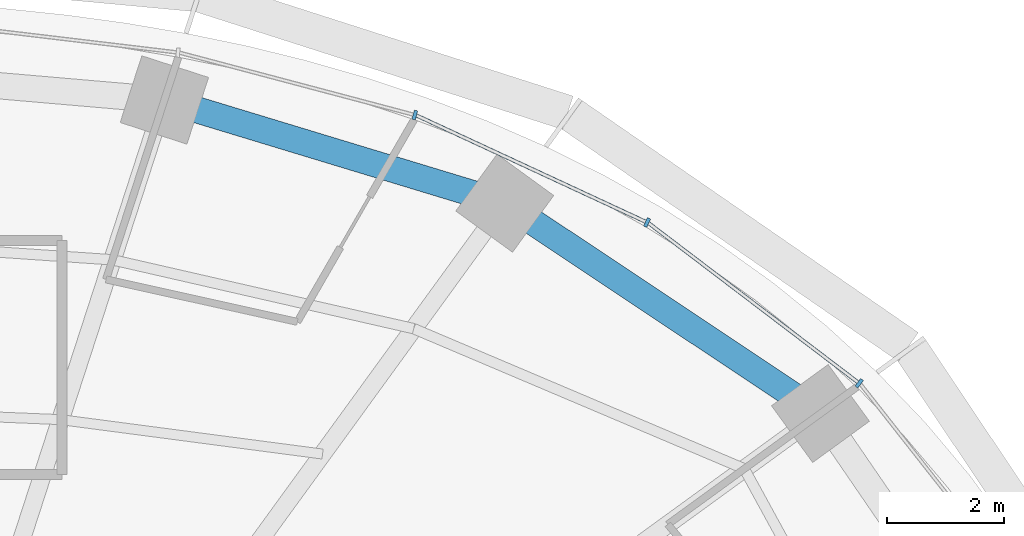
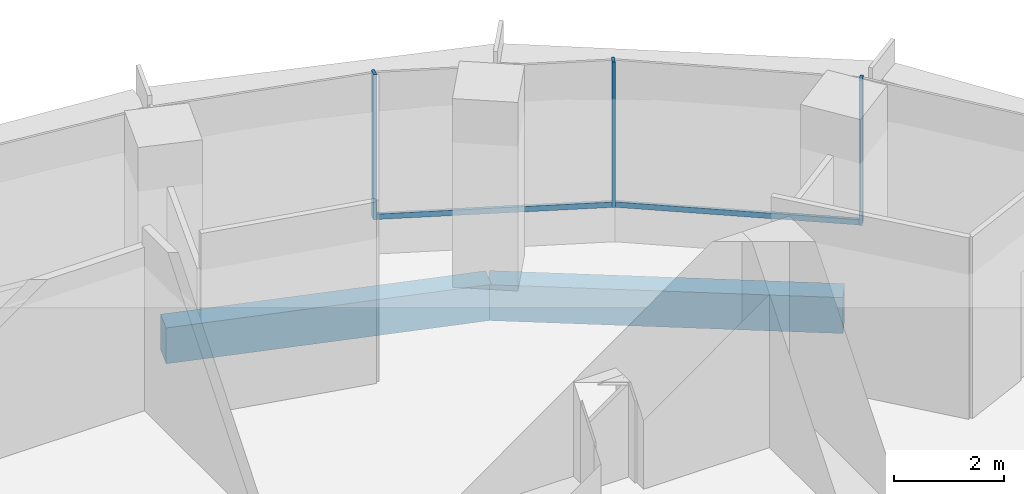
# One storey, part 7 of 13: 5 members, 2 beams, 2 elements without a shape of their own.
"""IFC4 building model written with IfcOpenShell, lengths in metres."""

import ifcopenshell
import ifcopenshell.guid

model = None  # the IFC model being written
_history = None  # IfcOwnerHistory: only IFC2X3 demands one
_inside = {}  # id of a spatial element -> (the spatial element, [elements in it])
_under = {}  # id of a project, library or spatial element -> (it, [spatial elements below it])
_declared = {}  # id of a project -> (the project, [libraries it declares])
_typed = {}  # id of a type object -> (the type object, [elements of that type])
_made_of = {}  # id of a material, layer set ... -> (it, [elements and type objects made of it])


def new_model(schema):
    """Start an empty IFC model of exactly this schema.

    Asked for "IFC4X3", IfcOpenShell would pick the latest addendum, in which some entities
    have other attributes; the version numbers below select the first issue.
    IFC2X3 requires an IfcOwnerHistory on every rooted entity: one is made here for all.
    """
    global model, _history
    if schema == "IFC4X3":
        model = ifcopenshell.file(schema_version=(4, 3, 0, 0))
    else:
        model = ifcopenshell.file(schema=schema)
    _inside.clear()
    _under.clear()
    _declared.clear()
    _typed.clear()
    _made_of.clear()
    _history = None
    if model.schema == "IFC2X3":
        org = make("IfcOrganization", Name="unknown")
        user = make(
            "IfcPersonAndOrganization",
            ThePerson=make("IfcPerson", FamilyName="unknown"),
            TheOrganization=org,
        )
        app = make(
            "IfcApplication",
            ApplicationDeveloper=org,
            Version="unknown",
            ApplicationFullName="unknown",
            ApplicationIdentifier="unknown",
        )
        _history = make(
            "IfcOwnerHistory",
            OwningUser=user,
            OwningApplication=app,
            ChangeAction="ADDED",
            CreationDate=0,
        )
    return model


def make(cls, **values):
    """One entity of the class cls with the attributes given. An attribute that is None is left unset."""
    return model.create_entity(
        cls, **{name: value for name, value in values.items() if value is not None}
    )


def rooted(cls, **values):
    """An entity with a GlobalId (a new one), such as an element, a storey or a relation."""
    return make(cls, GlobalId=ifcopenshell.guid.new(), OwnerHistory=_history, **values)


def si_unit(unit_type, name, prefix=None):
    """IfcSIUnit, for example si_unit("LENGTHUNIT", "METRE", prefix="MILLI")."""
    return make("IfcSIUnit", UnitType=unit_type, Prefix=prefix, Name=name)


def assignment(units):
    """IfcUnitAssignment: the units of a project."""
    return None if units is None else make("IfcUnitAssignment", Units=units)


def point(xyz):
    """IfcCartesianPoint."""
    return None if xyz is None else make("IfcCartesianPoint", Coordinates=xyz)


def direction(xyz):
    """IfcDirection."""
    return None if xyz is None else make("IfcDirection", DirectionRatios=xyz)


def frame(location, z_axis=None, x_axis=None):
    """IfcAxis2Placement3D, a coordinate frame: its origin and axes. An axis left out is left unset."""
    return make(
        "IfcAxis2Placement3D",
        Location=point(location),
        Axis=direction(z_axis),
        RefDirection=direction(x_axis),
    )


def frame_2d(location, x_axis=None):
    """IfcAxis2Placement2D, a coordinate frame in the plane: its origin and x axis."""
    return make(
        "IfcAxis2Placement2D", Location=point(location), RefDirection=direction(x_axis)
    )


def origin():
    """The frame at (0, 0, 0) with its axes left unset."""
    return frame((0.0, 0.0, 0.0))


def origin_2d():
    """The frame at (0, 0) in the plane with its x axis left unset."""
    return frame_2d((0.0, 0.0))


def place(relative_to, where):
    """IfcLocalPlacement: puts the frame where relative to a parent placement (None: the world)."""
    return make(
        "IfcLocalPlacement", PlacementRelTo=relative_to, RelativePlacement=where
    )


def context(
    kind, dimensions, precision=None, world=None, true_north=None, identifier=None
):
    """IfcGeometricRepresentationContext, for example the 3D "Model" context."""
    return make(
        "IfcGeometricRepresentationContext",
        ContextIdentifier=identifier,
        ContextType=kind,
        CoordinateSpaceDimension=dimensions,
        Precision=precision,
        WorldCoordinateSystem=world,
        TrueNorth=true_north,
    )


def subcontext(parent, identifier, kind, view, scale=None):
    """IfcGeometricRepresentationSubContext, for example "Body" below "Model"."""
    return make(
        "IfcGeometricRepresentationSubContext",
        ContextIdentifier=identifier,
        ContextType=kind,
        ParentContext=parent,
        TargetScale=scale,
        TargetView=view,
    )


def project(units=None, contexts=None):
    """IfcProject with its units and contexts."""
    return rooted(
        "IfcProject",
        Name="project",
        RepresentationContexts=contexts,
        UnitsInContext=assignment(units),
    )


def spatial(cls, under=None, at=None, **own):
    """A site, building, storey or space (cls), placed at a placement, below another one or the project."""
    s = rooted(cls, ObjectPlacement=at, **own)
    if under is not None:
        _under.setdefault(under.id(), (under, []))[1].append(s)
    return s


def profile(cls, at=None, kind="AREA", **sizes):
    """A parametric profile (cls). Its sizes go by their IFC names, for example OverallWidth=200.0."""
    return make(cls, ProfileType=kind, Position=at, **sizes)


def rectangle(**sizes):
    """IfcRectangleProfileDef."""
    return profile("IfcRectangleProfileDef", **sizes)


def extrude(swept, where, along, depth):
    """IfcExtrudedAreaSolid: the profile swept, set in the frame where, extruded along a direction by depth."""
    return make(
        "IfcExtrudedAreaSolid",
        SweptArea=swept,
        Position=where,
        ExtrudedDirection=direction(along),
        Depth=depth,
    )


def shape(context_of_items, identifier, shape_type, items):
    """IfcShapeRepresentation: the items that make up one representation, for example the "Body"."""
    return make(
        "IfcShapeRepresentation",
        ContextOfItems=context_of_items,
        RepresentationIdentifier=identifier,
        RepresentationType=shape_type,
        Items=items,
    )


def material(Name=None, Category=None):
    """IfcMaterial."""
    return make("IfcMaterial", Name=Name, Category=Category)


def material_profile(
    of_material, cross_section, Name=None, Category=None, Priority=None
):
    """IfcMaterialProfile: a cross section and its material."""
    return make(
        "IfcMaterialProfile",
        Name=Name,
        Material=of_material,
        Profile=cross_section,
        Priority=Priority,
        Category=Category,
    )


def profile_set(profiles, Name=None, composite=None):
    """IfcMaterialProfileSet."""
    return make(
        "IfcMaterialProfileSet",
        Name=Name,
        MaterialProfiles=profiles,
        CompositeProfile=composite,
    )


def made_of(thing, what):
    """Note that an element or type object is made of a material, layer set ...; save() writes the relation."""
    if what is not None:
        _made_of.setdefault(what.id(), (what, []))[1].append(thing)
    return thing


def type_object(cls, material=None, **own):
    """A type object (cls), such as IfcWallType, which elements share."""
    return made_of(rooted(cls, **own), material)


def element(
    cls,
    number,
    at=None,
    inside=None,
    cuts=None,
    type_object=None,
    material=None,
    context=None,
    identifier="Body",
    shape_type=None,
    held_by="IfcProductDefinitionShape",
    body=None,
    shapes=None,
    **own,
):
    """One element of the class cls, such as IfcWall. Its Tag is "e" and its number.

    at: its placement. inside: the storey or other place that contains it. cuts: it is an
    opening in that element (IfcRelVoidsElement). A single representation is given by context,
    identifier, shape_type and body (its items); several are given by shapes. held_by: the class
    of the entity that holds the representations. save() writes the other relations.
    """
    e = rooted(cls, Tag="e%d" % number, ObjectPlacement=at, **own)
    if body is not None:
        shapes = [shape(context, identifier, shape_type, body)]
    if shapes is not None:
        e.Representation = make(held_by, Representations=shapes)
    if inside is not None:
        _inside.setdefault(inside.id(), (inside, []))[1].append(e)
    if cuts is not None:
        rooted(
            "IfcRelVoidsElement", RelatingBuildingElement=cuts, RelatedOpeningElement=e
        )
    if type_object is not None:
        _typed.setdefault(type_object.id(), (type_object, []))[1].append(e)
    return made_of(e, material)


def aggregate(whole, parts):
    """IfcRelAggregates: a whole, such as a stair, and the parts it consists of."""
    return rooted("IfcRelAggregates", RelatingObject=whole, RelatedObjects=parts)


def save(model, path):
    """Write the relations noted so far, then the file.

    IfcRelAggregates (storeys below a building ...), IfcRelContainedInSpatialStructure (elements
    in a storey), IfcRelDefinesByType, IfcRelAssociatesMaterial and IfcRelDeclares: one each for
    every whole, place, type object, material and project.
    """
    for whole, parts in _under.values():
        aggregate(whole, parts)
    for where, things in _inside.values():
        rooted(
            "IfcRelContainedInSpatialStructure",
            RelatedElements=things,
            RelatingStructure=where,
        )
    for kind, things in _typed.values():
        rooted("IfcRelDefinesByType", RelatedObjects=things, RelatingType=kind)
    for what, things in _made_of.values():
        rooted("IfcRelAssociatesMaterial", RelatedObjects=things, RelatingMaterial=what)
    for by, libraries in _declared.values():
        rooted("IfcRelDeclares", RelatingContext=by, RelatedDefinitions=libraries)
    model.write(path)


model = new_model("IFC4")

# Units and contexts
model_context = context("Model", 3, precision=1e-05, world=origin(), true_north=direction((0.0, 1.0)))
body_context = subcontext(model_context, "Body", "Model", "MODEL_VIEW")
ifc_project = project(units=[si_unit("LENGTHUNIT", "METRE"), si_unit("AREAUNIT", "SQUARE_METRE"), si_unit("VOLUMEUNIT", "CUBIC_METRE"), si_unit("PLANEANGLEUNIT", "RADIAN"), si_unit("MASSUNIT", "GRAM", prefix="KILO")], contexts=[model_context])

# Site, building, storey
site_placement = place(None, origin())
site = spatial("IfcSite", under=ifc_project, at=site_placement, CompositionType="ELEMENT")
building_placement = place(site_placement, origin())
building = spatial("IfcBuilding", under=site, at=building_placement, Name="Marramba Exchange Tower", CompositionType="ELEMENT")
storey_placement = place(building_placement, frame((0.0, 0.0, 268.60009765625)))
storey = spatial("IfcBuildingStorey", under=building, at=storey_placement, Name="L65", CompositionType="ELEMENT", Elevation=268.60009765625)

# Curtain wall, members
ifc_material_1 = material(Name="Aluminium framing, bronze anodised", Category="aluminium")
curtain_wall_type = type_object("IfcCurtainWallType", Name="Executive floor ribbon curtain wall", PredefinedType="USERDEFINED", material=ifc_material_1)
curtain_wall_1_placement = place(storey_placement, origin())
curtain_wall_1 = element("IfcCurtainWall", 1, at=curtain_wall_1_placement, inside=storey, type_object=curtain_wall_type, Name="Curtain wall CW5 L65 F01-F05", ObjectType="RIBBON CURTAIN WALL", PredefinedType="USERDEFINED")
ifc_material_2 = material(Name="Aluminium mullion, bronze anodised", Category="aluminium")
ifc_material_profile_1 = material_profile(ifc_material_2, rectangle(XDim=0.159912109375, YDim=0.06005859375, at=origin_2d()), Name="CW5 mullion 60x160")
ifc_profile_set_1 = profile_set([ifc_material_profile_1], Name="Aluminium mullion, bronze anodised")
member_type_1 = type_object("IfcMemberType", Name="Executive floor ribbon curtain wall mullion", PredefinedType="MULLION", material=ifc_profile_set_1)
member_1_placement = place(storey_placement, frame((17.6494140625, 12.858642578125, 0.7998046875), z_axis=(0.0, 0.0, 1.0), x_axis=(-0.605219156516, -0.796058900199, 0.0)))
member_1 = element("IfcMember", 2, at=member_1_placement, type_object=member_type_1, Name="CW5 mullion 1", PredefinedType="MULLION", context=body_context, shape_type="SweptSolid", body=[
    extrude(rectangle(XDim=0.159912109375, YDim=0.06005859375, at=origin_2d()), origin(), (0.0, 0.0, 1.0), 3.239990234375),
])
member_2_placement = place(storey_placement, frame((14.01806640625, 15.611572265625, 0.7998046875), z_axis=(0.0, 0.0, 1.0), x_axis=(-0.420849274712, -0.90713057934, 0.0)))
member_2 = element("IfcMember", 3, at=member_2_placement, type_object=member_type_1, Name="CW5 mullion 1", PredefinedType="MULLION", context=body_context, shape_type="SweptSolid", body=[
    extrude(rectangle(XDim=0.159912109375, YDim=0.06005859375, at=origin_2d()), origin(), (0.0, 0.0, 1.0), 3.239990234375),
])

# Curtain wall, member
curtain_wall_2_placement = place(storey_placement, origin())
curtain_wall_2 = element("IfcCurtainWall", 4, at=curtain_wall_2_placement, inside=storey, type_object=curtain_wall_type, Name="Curtain wall CW5 L65 F06-F10", ObjectType="RIBBON CURTAIN WALL", PredefinedType="USERDEFINED")
member_3_placement = place(storey_placement, frame((10.04150390625, 17.450439453125, 0.7998046875), z_axis=(0.0, 0.0, 1.0), x_axis=(-0.256125574813, -0.966643517501, 0.0)))
member_3 = element("IfcMember", 5, at=member_3_placement, type_object=member_type_1, Name="CW5 mullion 1", PredefinedType="MULLION", context=body_context, shape_type="SweptSolid", body=[
    extrude(rectangle(XDim=0.159912109375, YDim=0.06005859375, at=origin_2d()), origin(), (0.0, 0.0, 1.0), 3.239990234375),
])
aggregate(curtain_wall_2, [member_3])

# Member
ifc_material_3 = material(Name="Aluminium transom, bronze anodised", Category="aluminium")
ifc_material_profile_2 = material_profile(ifc_material_3, rectangle(XDim=0.06005859375, YDim=0.1201171875, at=origin_2d()), Name="CW5 transom 60x120")
ifc_profile_set_2 = profile_set([ifc_material_profile_2], Name="Aluminium transom, bronze anodised")
member_type_2 = type_object("IfcMemberType", Name="Executive floor ribbon curtain wall transom", PredefinedType="USERDEFINED", material=ifc_profile_set_2)
member_4_placement = place(storey_placement, frame((17.625732421875, 12.876708984375, 0.829833984375), z_axis=(-0.796061771764, 0.605215379461, 0.0), x_axis=(-0.605215379461, -0.796061771764, 0.0)))
member_4 = element("IfcMember", 6, at=member_4_placement, type_object=member_type_2, Name="CW5 sill transom", ObjectType="TRANSOM", PredefinedType="USERDEFINED", context=body_context, shape_type="SweptSolid", body=[
    extrude(rectangle(XDim=0.06005859375, YDim=0.1201171875, at=origin_2d()), origin(), (0.0, 0.0, 1.0), 4.497802734375),
])

member_5_placement = place(storey_placement, frame((13.99072265625, 15.6240234375, 0.829833984375), z_axis=(-0.907117597316, 0.420877256026, 0.0), x_axis=(-0.420877256026, -0.907117597316, 0.0)))
member_5 = element("IfcMember", 7, at=member_5_placement, type_object=member_type_2, Name="CW5 sill transom", ObjectType="TRANSOM", PredefinedType="USERDEFINED", context=body_context, shape_type="SweptSolid", body=[
    extrude(rectangle(XDim=0.06005859375, YDim=0.1201171875, at=origin_2d()), origin(), (0.0, 0.0, 1.0), 4.321533203125),
])

aggregate(curtain_wall_1, [member_1, member_4, member_2, member_5])

# Beams
ifc_material_4 = material(Name="Concrete N50", Category="concrete")
ifc_material_profile_3 = material_profile(ifc_material_4, rectangle(XDim=0.449951171875, YDim=0.800048828125, at=origin_2d()), Name="RC 450x800")
ifc_profile_set_3 = profile_set([ifc_material_profile_3], Name="Concrete N50")
beam_type = type_object("IfcBeamType", Name="Ring beam RC 450x800 N50", PredefinedType="SPANDREL", material=ifc_profile_set_3)
beam_1_placement = place(storey_placement, frame((16.98583984375, 12.3408203125, -0.56005859375), z_axis=(-0.832293151443, 0.554335737673, 0.0), x_axis=(-0.554335737673, -0.832293151443, 0.0)))
element("IfcBeam", 8, at=beam_1_placement, inside=storey, type_object=beam_type, Name="Ring beam L65 TC03-TC04", PredefinedType="SPANDREL", context=body_context, shape_type="SweptSolid", body=[
    extrude(rectangle(XDim=0.449951171875, YDim=0.800048828125, at=origin_2d()), origin(), (0.0, 0.0, 1.0), 6.49365234375),
])
beam_2_placement = place(storey_placement, frame((11.581298828125, 15.9404296875, -0.56005859375), z_axis=(-0.956924542524, 0.290336735387, 0.0), x_axis=(-0.290336735387, -0.956924542524, 0.0)))
element("IfcBeam", 9, at=beam_2_placement, inside=storey, type_object=beam_type, Name="Ring beam L65 TC04-TC05", PredefinedType="SPANDREL", context=body_context, shape_type="SweptSolid", body=[
    extrude(rectangle(XDim=0.449951171875, YDim=0.800048828125, at=origin_2d()), origin(), (0.0, 0.0, 1.0), 6.089599609375),
])

save(model, "model.ifc")
